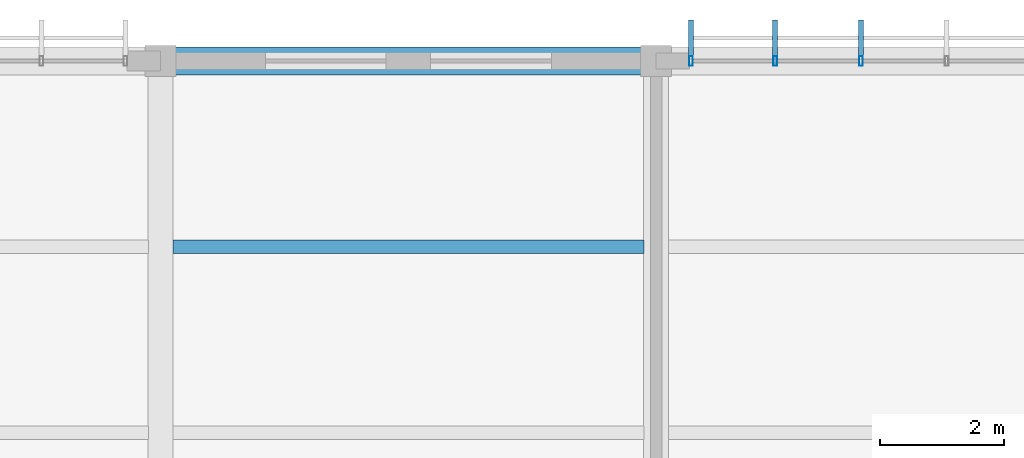
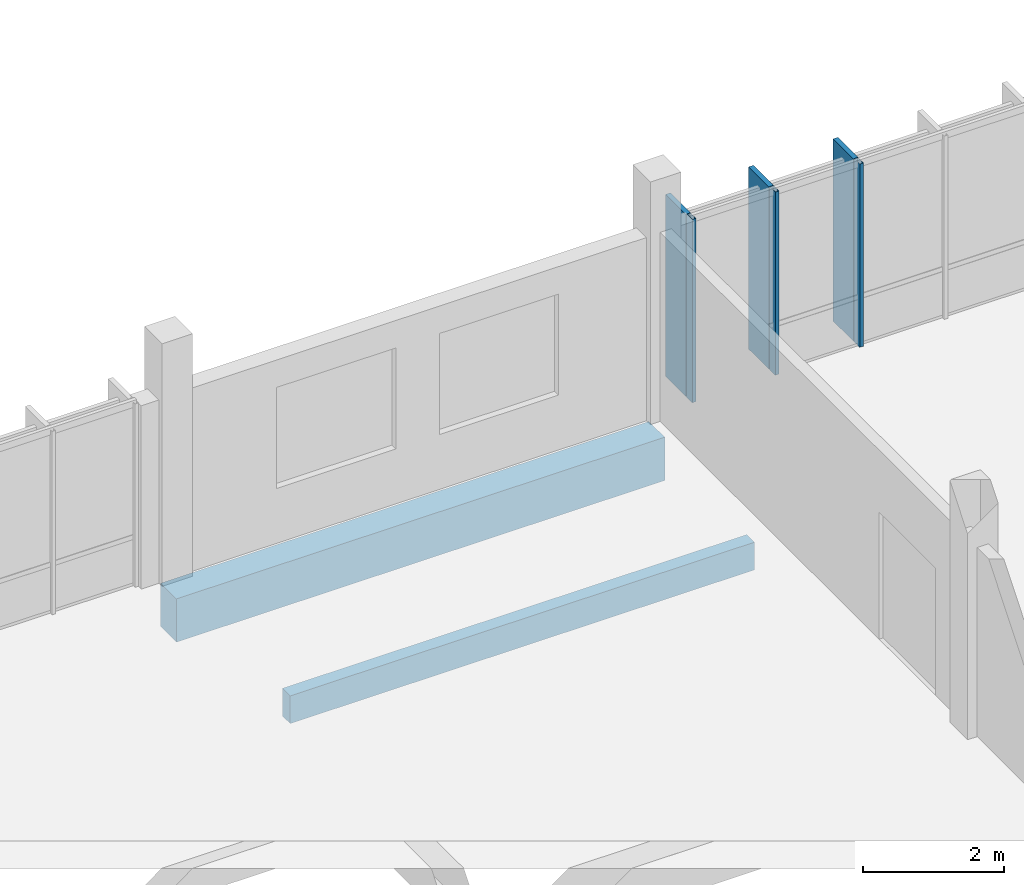
# One storey, part 129 of 182: 6 members, 2 beams, 1 element without a shape of its own.
"""IFC4 building model written with IfcOpenShell, lengths in metres."""

from ifc_helpers import new_model, si_unit, direction, frame, origin, origin_2d, place, context, subcontext, project, spatial, rectangle, hollow_rectangle, extrude, material, material_profile, profile_set, type_object, element, aggregate, save


model = new_model("IFC4")

# Units and contexts
model_context = context("Model", 3, precision=1e-05, world=origin(), true_north=direction((0.0, 1.0)))
body_context = subcontext(model_context, "Body", "Model", "MODEL_VIEW")
ifc_project = project(units=[si_unit("LENGTHUNIT", "METRE"), si_unit("AREAUNIT", "SQUARE_METRE"), si_unit("VOLUMEUNIT", "CUBIC_METRE"), si_unit("PLANEANGLEUNIT", "RADIAN"), si_unit("MASSUNIT", "GRAM", prefix="KILO")], contexts=[model_context])

# Site, building, storey
site_placement = place(None, origin())
site = spatial("IfcSite", under=ifc_project, at=site_placement, CompositionType="ELEMENT")
building_placement = place(site_placement, origin())
building = spatial("IfcBuilding", under=site, at=building_placement, Name="Chiffa Square Polytechnic", CompositionType="ELEMENT")
storey_placement = place(building_placement, frame((0.0, 0.0, 9.60009765625)))
storey = spatial("IfcBuildingStorey", under=building, at=storey_placement, Name="L02", CompositionType="ELEMENT", Elevation=9.60009765625)

# Beam
ifc_material_1 = material(Name="Concrete C35/45", Category="concrete")
ifc_material_profile_1 = material_profile(ifc_material_1, rectangle(XDim=0.449951171875, YDim=0.75, at=origin_2d()), Name="RC 450x750")
ifc_profile_set_1 = profile_set([ifc_material_profile_1], Name="Concrete C35/45")
beam_type_1 = type_object("IfcBeamType", Name="BM-RC-450X750", PredefinedType="BEAM", material=ifc_profile_set_1)
beam_1_placement = place(storey_placement, frame((32.0, 130.800048828125, -0.695068359375), z_axis=(1.0, 0.0, 0.0), x_axis=(0.0, 1.0, 0.0)))
element("IfcBeam", 1, at=beam_1_placement, inside=storey, type_object=beam_type_1, Name="Primary floor girder BM-V5-L02-X-0320-1308", PredefinedType="BEAM", context=body_context, shape_type="SweptSolid", body=[
    extrude(rectangle(XDim=0.449951171875, YDim=0.75, at=origin_2d()), origin(), (0.0, 0.0, 1.0), 8.0),
])

# Curtain wall, members
ifc_material_2 = material(Name="Aluminium EN AW-6060 T66 and glulam shading", Category="wood")
curtain_wall_type = type_object("IfcCurtainWallType", Name="CW-VERT-360X380", PredefinedType="USERDEFINED", material=ifc_material_2)
curtain_wall_placement = place(storey_placement, origin())
curtain_wall = element("IfcCurtainWall", 2, at=curtain_wall_placement, inside=storey, type_object=curtain_wall_type, Name="Curtain wall CW-V5-L02-221", ObjectType="CURTAIN WALL", PredefinedType="USERDEFINED")
ifc_material_3 = material(Name="Aluminium EN AW-6060 T66", Category="aluminium")
ifc_material_profile_2 = material_profile(ifc_material_3, hollow_rectangle(XDim=0.06005859375, YDim=0.159912109375, WallThickness=0.00390625, at=origin_2d()), Name="ALU 60x160x4")
ifc_profile_set_2 = profile_set([ifc_material_profile_2], Name="Aluminium EN AW-6060 T66")
member_type_1 = type_object("IfcMemberType", Name="CWM-ALU-65X150", PredefinedType="MULLION", material=ifc_profile_set_2)
member_1_placement = place(storey_placement, frame((43.30810546875, 130.800048828125, 0.0), z_axis=(0.0, 0.0, 1.0), x_axis=(1.0, 0.0, 0.0)))
member_1 = element("IfcMember", 3, at=member_1_placement, type_object=member_type_1, Name="Curtain wall mullion CW-V5-L02-221-M03", PredefinedType="MULLION", context=body_context, shape_type="SweptSolid", body=[
    extrude(hollow_rectangle(XDim=0.06005859375, YDim=0.159912109375, WallThickness=0.00390625, at=origin_2d()), origin(), (0.0, 0.0, 1.0), 3.1748046875),
])
member_2_placement = place(storey_placement, frame((41.924072265625, 130.800048828125, 0.0), z_axis=(0.0, 0.0, 1.0), x_axis=(1.0, 0.0, 0.0)))
member_2 = element("IfcMember", 4, at=member_2_placement, type_object=member_type_1, Name="Curtain wall mullion CW-V5-L02-221-M04", PredefinedType="MULLION", context=body_context, shape_type="SweptSolid", body=[
    extrude(hollow_rectangle(XDim=0.06005859375, YDim=0.159912109375, WallThickness=0.00390625, at=origin_2d()), origin(), (0.0, 0.0, 1.0), 3.1748046875),
])
member_3_placement = place(storey_placement, frame((40.56494140625, 130.800048828125, 0.0), z_axis=(0.0, 0.0, 1.0), x_axis=(1.0, 0.0, 0.0)))
member_3 = element("IfcMember", 5, at=member_3_placement, type_object=member_type_1, Name="Curtain wall mullion CW-V5-L02-221-M05", PredefinedType="MULLION", context=body_context, shape_type="SweptSolid", body=[
    extrude(hollow_rectangle(XDim=0.06005859375, YDim=0.159912109375, WallThickness=0.00390625, at=origin_2d()), origin(), (0.0, 0.0, 1.0), 3.1748046875),
])
ifc_material_4 = material(Name="Glulam GL28h", Category="wood")
ifc_material_profile_3 = material_profile(ifc_material_4, rectangle(XDim=0.080078125, YDim=0.580078125, at=origin_2d()), Name="GL28h 80x580")
ifc_profile_set_3 = profile_set([ifc_material_profile_3], Name="Glulam GL28h")
member_type_2 = type_object("IfcMemberType", Name="CWM-GL-80X580", PredefinedType="MULLION", material=ifc_profile_set_3)
member_4_placement = place(storey_placement, frame((43.30810546875, 131.172119140625, 0.010009765625), z_axis=(0.0, 0.0, 1.0), x_axis=(-1.0, 0.0, 0.0)))
member_4 = element("IfcMember", 6, at=member_4_placement, type_object=member_type_2, Name="Exterior glulam solar fin CW-V5-L02-221-FN03", PredefinedType="MULLION", context=body_context, shape_type="SweptSolid", body=[
    extrude(rectangle(XDim=0.080078125, YDim=0.580078125, at=origin_2d()), origin(), (0.0, 0.0, 1.0), 3.15478515625),
])
member_5_placement = place(storey_placement, frame((41.924072265625, 131.172119140625, 0.010009765625), z_axis=(0.0, 0.0, 1.0), x_axis=(-1.0, 0.0, 0.0)))
member_5 = element("IfcMember", 7, at=member_5_placement, type_object=member_type_2, Name="Exterior glulam solar fin CW-V5-L02-221-FN04", PredefinedType="MULLION", context=body_context, shape_type="SweptSolid", body=[
    extrude(rectangle(XDim=0.080078125, YDim=0.580078125, at=origin_2d()), origin(), (0.0, 0.0, 1.0), 3.15478515625),
])
member_6_placement = place(storey_placement, frame((40.56494140625, 131.172119140625, 0.010009765625), z_axis=(0.0, 0.0, 1.0), x_axis=(-1.0, 0.0, 0.0)))
member_6 = element("IfcMember", 8, at=member_6_placement, type_object=member_type_2, Name="Exterior glulam solar fin CW-V5-L02-221-FN05", PredefinedType="MULLION", context=body_context, shape_type="SweptSolid", body=[
    extrude(rectangle(XDim=0.080078125, YDim=0.580078125, at=origin_2d()), origin(), (0.0, 0.0, 1.0), 3.15478515625),
])
aggregate(curtain_wall, [member_1, member_4, member_2, member_5, member_3, member_6])

# Beam
ifc_material_profile_4 = material_profile(ifc_material_4, rectangle(XDim=0.219970703125, YDim=0.47998046875, at=origin_2d()), Name="GL28h 220x480")
ifc_profile_set_4 = profile_set([ifc_material_profile_4], Name="Glulam GL28h")
beam_type_2 = type_object("IfcBeamType", Name="JST-GL-220X480", PredefinedType="JOIST", material=ifc_profile_set_4)
beam_2_placement = place(storey_placement, frame((32.197998046875, 127.800048828125, -0.56005859375), z_axis=(1.0, 0.0, 0.0), x_axis=(0.0, 1.0, 0.0)))
element("IfcBeam", 9, at=beam_2_placement, inside=storey, type_object=beam_type_2, Name="Secondary floor joist JST-V5-L02-0320-1278", PredefinedType="JOIST", context=body_context, shape_type="SweptSolid", body=[
    extrude(rectangle(XDim=0.219970703125, YDim=0.47998046875, at=origin_2d()), origin(), (0.0, 0.0, 1.0), 7.60400390625),
])

save(model, "model.ifc")
